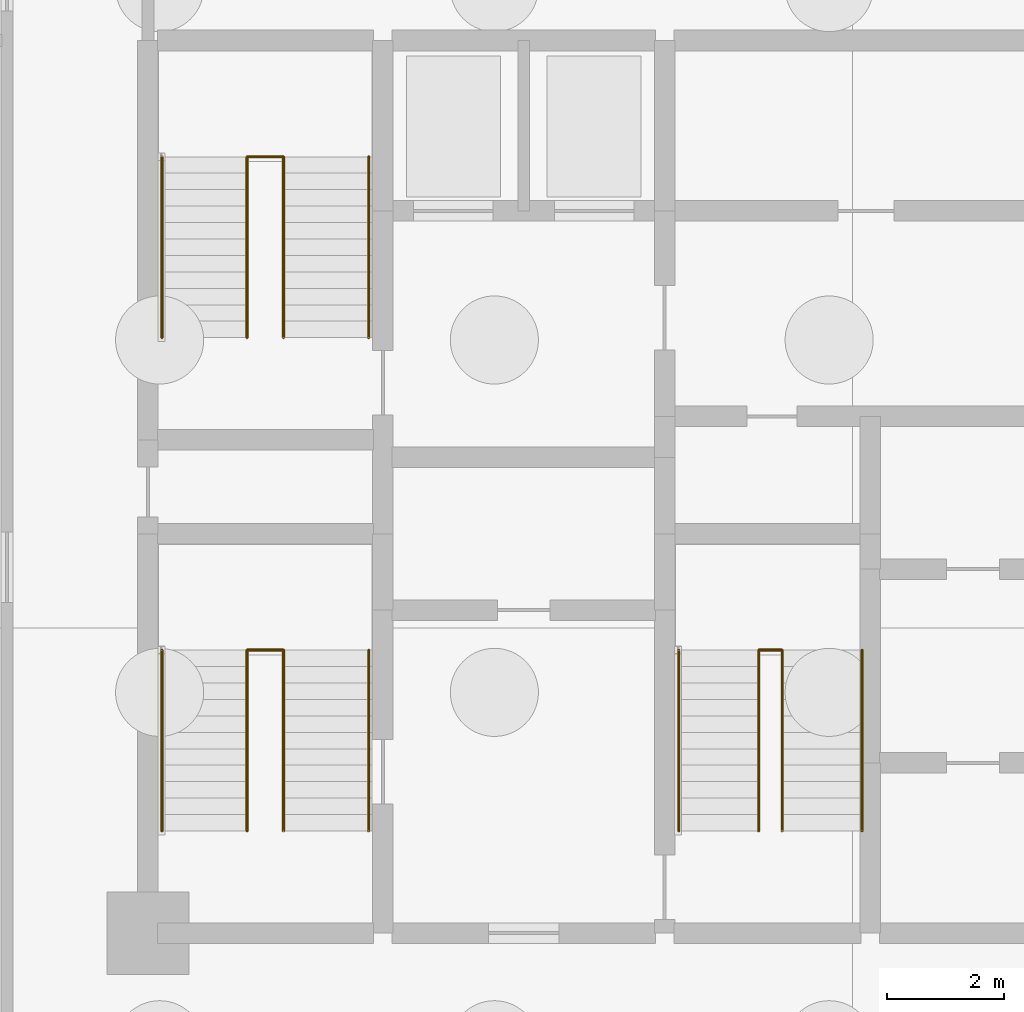
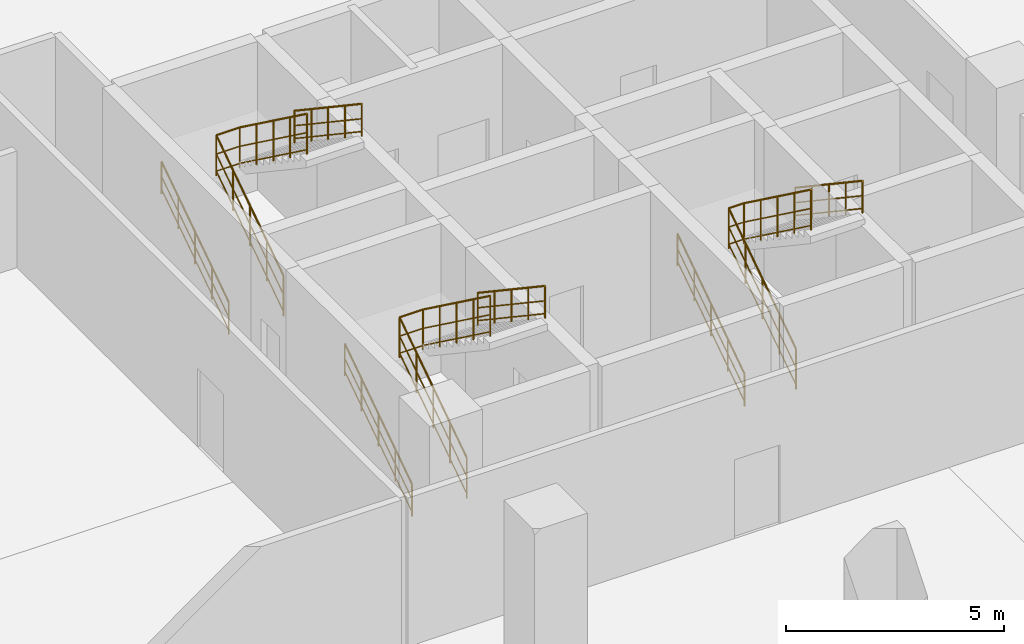
# One storey, part 7 of 8: 9 railings.
"""IFC4 building model written with IfcOpenShell, lengths in metres."""

import ifcopenshell
import ifcopenshell.guid

model = None  # the IFC model being written
_history = None  # IfcOwnerHistory: only IFC2X3 demands one
_inside = {}  # id of a spatial element -> (the spatial element, [elements in it])
_under = {}  # id of a project, library or spatial element -> (it, [spatial elements below it])
_declared = {}  # id of a project -> (the project, [libraries it declares])
_typed = {}  # id of a type object -> (the type object, [elements of that type])
_made_of = {}  # id of a material, layer set ... -> (it, [elements and type objects made of it])


def new_model(schema):
    """Start an empty IFC model of exactly this schema.

    Asked for "IFC4X3", IfcOpenShell would pick the latest addendum, in which some entities
    have other attributes; the version numbers below select the first issue.
    IFC2X3 requires an IfcOwnerHistory on every rooted entity: one is made here for all.
    """
    global model, _history
    if schema == "IFC4X3":
        model = ifcopenshell.file(schema_version=(4, 3, 0, 0))
    else:
        model = ifcopenshell.file(schema=schema)
    _inside.clear()
    _under.clear()
    _declared.clear()
    _typed.clear()
    _made_of.clear()
    _history = None
    if model.schema == "IFC2X3":
        org = make("IfcOrganization", Name="unknown")
        user = make(
            "IfcPersonAndOrganization",
            ThePerson=make("IfcPerson", FamilyName="unknown"),
            TheOrganization=org,
        )
        app = make(
            "IfcApplication",
            ApplicationDeveloper=org,
            Version="unknown",
            ApplicationFullName="unknown",
            ApplicationIdentifier="unknown",
        )
        _history = make(
            "IfcOwnerHistory",
            OwningUser=user,
            OwningApplication=app,
            ChangeAction="ADDED",
            CreationDate=0,
        )
    return model


def make(cls, **values):
    """One entity of the class cls with the attributes given. An attribute that is None is left unset."""
    return model.create_entity(
        cls, **{name: value for name, value in values.items() if value is not None}
    )


def rooted(cls, **values):
    """An entity with a GlobalId (a new one), such as an element, a storey or a relation."""
    return make(cls, GlobalId=ifcopenshell.guid.new(), OwnerHistory=_history, **values)


def si_unit(unit_type, name, prefix=None):
    """IfcSIUnit, for example si_unit("LENGTHUNIT", "METRE", prefix="MILLI")."""
    return make("IfcSIUnit", UnitType=unit_type, Prefix=prefix, Name=name)


def assignment(units):
    """IfcUnitAssignment: the units of a project."""
    return None if units is None else make("IfcUnitAssignment", Units=units)


def point(xyz):
    """IfcCartesianPoint."""
    return None if xyz is None else make("IfcCartesianPoint", Coordinates=xyz)


def direction(xyz):
    """IfcDirection."""
    return None if xyz is None else make("IfcDirection", DirectionRatios=xyz)


def frame(location, z_axis=None, x_axis=None):
    """IfcAxis2Placement3D, a coordinate frame: its origin and axes. An axis left out is left unset."""
    return make(
        "IfcAxis2Placement3D",
        Location=point(location),
        Axis=direction(z_axis),
        RefDirection=direction(x_axis),
    )


def frame_2d(location, x_axis=None):
    """IfcAxis2Placement2D, a coordinate frame in the plane: its origin and x axis."""
    return make(
        "IfcAxis2Placement2D", Location=point(location), RefDirection=direction(x_axis)
    )


def origin():
    """The frame at (0, 0, 0) with its axes left unset."""
    return frame((0.0, 0.0, 0.0))


def origin_2d():
    """The frame at (0, 0) in the plane with its x axis left unset."""
    return frame_2d((0.0, 0.0))


def place(relative_to, where):
    """IfcLocalPlacement: puts the frame where relative to a parent placement (None: the world)."""
    return make(
        "IfcLocalPlacement", PlacementRelTo=relative_to, RelativePlacement=where
    )


def context(
    kind, dimensions, precision=None, world=None, true_north=None, identifier=None
):
    """IfcGeometricRepresentationContext, for example the 3D "Model" context."""
    return make(
        "IfcGeometricRepresentationContext",
        ContextIdentifier=identifier,
        ContextType=kind,
        CoordinateSpaceDimension=dimensions,
        Precision=precision,
        WorldCoordinateSystem=world,
        TrueNorth=true_north,
    )


def subcontext(parent, identifier, kind, view, scale=None):
    """IfcGeometricRepresentationSubContext, for example "Body" below "Model"."""
    return make(
        "IfcGeometricRepresentationSubContext",
        ContextIdentifier=identifier,
        ContextType=kind,
        ParentContext=parent,
        TargetScale=scale,
        TargetView=view,
    )


def project(units=None, contexts=None):
    """IfcProject with its units and contexts."""
    return rooted(
        "IfcProject",
        Name="project",
        RepresentationContexts=contexts,
        UnitsInContext=assignment(units),
    )


def spatial(cls, under=None, at=None, **own):
    """A site, building, storey or space (cls), placed at a placement, below another one or the project."""
    s = rooted(cls, ObjectPlacement=at, **own)
    if under is not None:
        _under.setdefault(under.id(), (under, []))[1].append(s)
    return s


def profile(cls, at=None, kind="AREA", **sizes):
    """A parametric profile (cls). Its sizes go by their IFC names, for example OverallWidth=200.0."""
    return make(cls, ProfileType=kind, Position=at, **sizes)


def circle(**sizes):
    """IfcCircleProfileDef."""
    return profile("IfcCircleProfileDef", **sizes)


def extrude(swept, where, along, depth):
    """IfcExtrudedAreaSolid: the profile swept, set in the frame where, extruded along a direction by depth."""
    return make(
        "IfcExtrudedAreaSolid",
        SweptArea=swept,
        Position=where,
        ExtrudedDirection=direction(along),
        Depth=depth,
    )


def shape(context_of_items, identifier, shape_type, items):
    """IfcShapeRepresentation: the items that make up one representation, for example the "Body"."""
    return make(
        "IfcShapeRepresentation",
        ContextOfItems=context_of_items,
        RepresentationIdentifier=identifier,
        RepresentationType=shape_type,
        Items=items,
    )


def material(Name=None, Category=None):
    """IfcMaterial."""
    return make("IfcMaterial", Name=Name, Category=Category)


def layer(
    of_material, thickness, ventilated=None, Name=None, Category=None, Priority=None
):
    """IfcMaterialLayer: one layer of a wall or slab, of a material (None: an air gap)."""
    return make(
        "IfcMaterialLayer",
        Material=of_material,
        LayerThickness=thickness,
        IsVentilated=ventilated,
        Name=Name,
        Category=Category,
        Priority=Priority,
    )


def layer_set(layers, Name=None):
    """IfcMaterialLayerSet."""
    return make("IfcMaterialLayerSet", MaterialLayers=layers, LayerSetName=Name)


def made_of(thing, what):
    """Note that an element or type object is made of a material, layer set ...; save() writes the relation."""
    if what is not None:
        _made_of.setdefault(what.id(), (what, []))[1].append(thing)
    return thing


def type_object(cls, material=None, **own):
    """A type object (cls), such as IfcWallType, which elements share."""
    return made_of(rooted(cls, **own), material)


def element(
    cls,
    number,
    at=None,
    inside=None,
    cuts=None,
    type_object=None,
    material=None,
    context=None,
    identifier="Body",
    shape_type=None,
    held_by="IfcProductDefinitionShape",
    body=None,
    shapes=None,
    **own,
):
    """One element of the class cls, such as IfcWall. Its Tag is "e" and its number.

    at: its placement. inside: the storey or other place that contains it. cuts: it is an
    opening in that element (IfcRelVoidsElement). A single representation is given by context,
    identifier, shape_type and body (its items); several are given by shapes. held_by: the class
    of the entity that holds the representations. save() writes the other relations.
    """
    e = rooted(cls, Tag="e%d" % number, ObjectPlacement=at, **own)
    if body is not None:
        shapes = [shape(context, identifier, shape_type, body)]
    if shapes is not None:
        e.Representation = make(held_by, Representations=shapes)
    if inside is not None:
        _inside.setdefault(inside.id(), (inside, []))[1].append(e)
    if cuts is not None:
        rooted(
            "IfcRelVoidsElement", RelatingBuildingElement=cuts, RelatedOpeningElement=e
        )
    if type_object is not None:
        _typed.setdefault(type_object.id(), (type_object, []))[1].append(e)
    return made_of(e, material)


def aggregate(whole, parts):
    """IfcRelAggregates: a whole, such as a stair, and the parts it consists of."""
    return rooted("IfcRelAggregates", RelatingObject=whole, RelatedObjects=parts)


def save(model, path):
    """Write the relations noted so far, then the file.

    IfcRelAggregates (storeys below a building ...), IfcRelContainedInSpatialStructure (elements
    in a storey), IfcRelDefinesByType, IfcRelAssociatesMaterial and IfcRelDeclares: one each for
    every whole, place, type object, material and project.
    """
    for whole, parts in _under.values():
        aggregate(whole, parts)
    for where, things in _inside.values():
        rooted(
            "IfcRelContainedInSpatialStructure",
            RelatedElements=things,
            RelatingStructure=where,
        )
    for kind, things in _typed.values():
        rooted("IfcRelDefinesByType", RelatedObjects=things, RelatingType=kind)
    for what, things in _made_of.values():
        rooted("IfcRelAssociatesMaterial", RelatedObjects=things, RelatingMaterial=what)
    for by, libraries in _declared.values():
        rooted("IfcRelDeclares", RelatingContext=by, RelatedDefinitions=libraries)
    model.write(path)


model = new_model("IFC4")

# Units and contexts
model_context = context("Model", 3, precision=1e-05, world=origin(), true_north=direction((0.0, 1.0)))
body_context = subcontext(model_context, "Body", "Model", "MODEL_VIEW")
ifc_project = project(units=[si_unit("LENGTHUNIT", "METRE"), si_unit("AREAUNIT", "SQUARE_METRE"), si_unit("VOLUMEUNIT", "CUBIC_METRE"), si_unit("PLANEANGLEUNIT", "RADIAN"), si_unit("MASSUNIT", "GRAM", prefix="KILO")], contexts=[model_context])

# Site, building, storey
site_placement = place(None, origin())
site = spatial("IfcSite", under=ifc_project, at=site_placement, CompositionType="ELEMENT")
building_placement = place(site_placement, origin())
building = spatial("IfcBuilding", under=site, at=building_placement, Name="Keshet Zoharim Tower", CompositionType="ELEMENT")
storey_placement = place(building_placement, frame((0.0, 0.0, -9.0)))
storey = spatial("IfcBuildingStorey", under=building, at=storey_placement, Name="B2", CompositionType="ELEMENT", Elevation=-9.0)

# Railings
ifc_material = material(Name="Steel S355", Category="steel")
ifc_layer_1 = layer(ifc_material, 0.050048828125)
ifc_layer_set_1 = layer_set([ifc_layer_1], Name="Steel S355")
railing_type_1 = type_object("IfcRailingType", Name="RL-HND-092", PredefinedType="HANDRAIL", material=ifc_layer_set_1)
railing_1_placement = place(storey_placement, frame((15.239990234375, 24.43994140625, 0.1875)))
element("IfcRailing", 1, at=railing_1_placement, inside=storey, type_object=railing_type_1, Name="B2 ST-01 Flight 1 Wall Handrail", PredefinedType="HANDRAIL", context=body_context, shape_type="SweptSolid", body=[
    extrude(circle(Radius=0.02392578125, at=origin_2d()), frame((0.0, 0.0, 0.89599609375), z_axis=(0.0, 0.830913701846, 0.55640131208), x_axis=(-1.0, 0.0, 0.0)), (0.0, 0.0, 1.0), 3.706787109375),
    extrude(circle(Radius=0.01611328125, at=origin_2d()), frame((0.0, 0.0, 0.478271484375), z_axis=(0.0, 0.830913701846, 0.55640131208), x_axis=(-1.0, 0.0, 0.0)), (0.0, 0.0, 1.0), 3.706787109375),
    extrude(circle(Radius=0.01611328125, at=origin_2d()), frame((0.0, 0.0, 0.1201171875), z_axis=(0.0, 0.830913701846, 0.55640131208), x_axis=(-1.0, 0.0, 0.0)), (0.0, 0.0, 1.0), 3.706787109375),
    extrude(circle(Radius=0.02099609375, at=origin_2d()), origin(), (0.0, 0.0, 1.0), 0.871826171875),
    extrude(circle(Radius=0.02099609375, at=origin_2d()), frame((0.0, 0.77001953125, 0.515625)), (0.0, 0.0, 1.0), 0.871826171875),
    extrude(circle(Radius=0.02099609375, at=origin_2d()), frame((0.0, 1.5400390625, 1.03125)), (0.0, 0.0, 1.0), 0.871826171875),
    extrude(circle(Radius=0.02099609375, at=origin_2d()), frame((0.0, 2.31005859375, 1.546875)), (0.0, 0.0, 1.0), 0.871826171875),
    extrude(circle(Radius=0.02099609375, at=origin_2d()), frame((0.0, 3.080078125, 2.0625)), (0.0, 0.0, 1.0), 0.871826171875),
])
railing_2_placement = place(storey_placement, frame((18.760009765625, 27.52001953125, 2.4375)))
element("IfcRailing", 2, at=railing_2_placement, inside=storey, type_object=railing_type_1, Name="B2 ST-01 Flight 2 Wall Handrail", PredefinedType="HANDRAIL", context=body_context, shape_type="SweptSolid", body=[
    extrude(circle(Radius=0.02392578125, at=origin_2d()), frame((0.0, 0.0, 0.89599609375), z_axis=(0.0, -0.830913701846, 0.55640131208), x_axis=(1.0, 0.0, 0.0)), (0.0, 0.0, 1.0), 3.706787109375),
    extrude(circle(Radius=0.01611328125, at=origin_2d()), frame((0.0, 0.0, 0.478271484375), z_axis=(0.0, -0.830913701846, 0.55640131208), x_axis=(1.0, 0.0, 0.0)), (0.0, 0.0, 1.0), 3.706787109375),
    extrude(circle(Radius=0.01611328125, at=origin_2d()), frame((0.0, 0.0, 0.1201171875), z_axis=(0.0, -0.830913701846, 0.55640131208), x_axis=(1.0, 0.0, 0.0)), (0.0, 0.0, 1.0), 3.706787109375),
    extrude(circle(Radius=0.02099609375, at=origin_2d()), origin(), (0.0, 0.0, 1.0), 0.871826171875),
    extrude(circle(Radius=0.02099609375, at=origin_2d()), frame((0.0, -0.77001953125, 0.515625)), (0.0, 0.0, 1.0), 0.871826171875),
    extrude(circle(Radius=0.02099609375, at=origin_2d()), frame((0.0, -1.5400390625, 1.03125)), (0.0, 0.0, 1.0), 0.871826171875),
    extrude(circle(Radius=0.02099609375, at=origin_2d()), frame((0.0, -2.31005859375, 1.546875)), (0.0, 0.0, 1.0), 0.871826171875),
    extrude(circle(Radius=0.02099609375, at=origin_2d()), frame((0.0, -3.080078125, 2.0625)), (0.0, 0.0, 1.0), 0.871826171875),
])
railing_3_placement = place(storey_placement, frame((15.239990234375, 32.840087890625, 0.1875)))
element("IfcRailing", 3, at=railing_3_placement, inside=storey, type_object=railing_type_1, Name="B2 ST-02 Flight 1 Wall Handrail", PredefinedType="HANDRAIL", context=body_context, shape_type="SweptSolid", body=[
    extrude(circle(Radius=0.02392578125, at=origin_2d()), frame((0.0, 0.0, 0.89599609375), z_axis=(0.0, 0.830893310487, 0.556431762742), x_axis=(-1.0, 0.0, 0.0)), (0.0, 0.0, 1.0), 3.70654296875),
    extrude(circle(Radius=0.01611328125, at=origin_2d()), frame((0.0, 0.0, 0.478271484375), z_axis=(0.0, 0.830893310487, 0.556431762742), x_axis=(-1.0, 0.0, 0.0)), (0.0, 0.0, 1.0), 3.70654296875),
    extrude(circle(Radius=0.01611328125, at=origin_2d()), frame((0.0, 0.0, 0.1201171875), z_axis=(0.0, 0.830893310487, 0.556431762742), x_axis=(-1.0, 0.0, 0.0)), (0.0, 0.0, 1.0), 3.70654296875),
    extrude(circle(Radius=0.02099609375, at=origin_2d()), origin(), (0.0, 0.0, 1.0), 0.871826171875),
    extrude(circle(Radius=0.02099609375, at=origin_2d()), frame((0.0, 0.77001953125, 0.515625)), (0.0, 0.0, 1.0), 0.871826171875),
    extrude(circle(Radius=0.02099609375, at=origin_2d()), frame((0.0, 1.5400390625, 1.03125)), (0.0, 0.0, 1.0), 0.871826171875),
    extrude(circle(Radius=0.02099609375, at=origin_2d()), frame((0.0, 2.309814453125, 1.546875)), (0.0, 0.0, 1.0), 0.871826171875),
    extrude(circle(Radius=0.02099609375, at=origin_2d()), frame((0.0, 3.079833984375, 2.0625)), (0.0, 0.0, 1.0), 0.871826171875),
])
railing_4_placement = place(storey_placement, frame((18.760009765625, 35.919921875, 2.4375)))
element("IfcRailing", 4, at=railing_4_placement, inside=storey, type_object=railing_type_1, Name="B2 ST-02 Flight 2 Wall Handrail", PredefinedType="HANDRAIL", context=body_context, shape_type="SweptSolid", body=[
    extrude(circle(Radius=0.02392578125, at=origin_2d()), frame((0.0, 0.0, 0.89599609375), z_axis=(0.0, -0.830893310487, 0.556431762742), x_axis=(1.0, 0.0, 0.0)), (0.0, 0.0, 1.0), 3.70654296875),
    extrude(circle(Radius=0.01611328125, at=origin_2d()), frame((0.0, 0.0, 0.478271484375), z_axis=(0.0, -0.830893310487, 0.556431762742), x_axis=(1.0, 0.0, 0.0)), (0.0, 0.0, 1.0), 3.70654296875),
    extrude(circle(Radius=0.01611328125, at=origin_2d()), frame((0.0, 0.0, 0.1201171875), z_axis=(0.0, -0.830893310487, 0.556431762742), x_axis=(1.0, 0.0, 0.0)), (0.0, 0.0, 1.0), 3.70654296875),
    extrude(circle(Radius=0.02099609375, at=origin_2d()), origin(), (0.0, 0.0, 1.0), 0.871826171875),
    extrude(circle(Radius=0.02099609375, at=origin_2d()), frame((0.0, -0.77001953125, 0.515625)), (0.0, 0.0, 1.0), 0.871826171875),
    extrude(circle(Radius=0.02099609375, at=origin_2d()), frame((0.0, -1.5400390625, 1.03125)), (0.0, 0.0, 1.0), 0.871826171875),
    extrude(circle(Radius=0.02099609375, at=origin_2d()), frame((0.0, -2.309814453125, 1.546875)), (0.0, 0.0, 1.0), 0.871826171875),
    extrude(circle(Radius=0.02099609375, at=origin_2d()), frame((0.0, -3.079833984375, 2.0625)), (0.0, 0.0, 1.0), 0.871826171875),
])
railing_5_placement = place(storey_placement, frame((24.0400390625, 24.43994140625, 0.1875)))
element("IfcRailing", 5, at=railing_5_placement, inside=storey, type_object=railing_type_1, Name="B2 ST-03 Flight 1 Wall Handrail", PredefinedType="HANDRAIL", context=body_context, shape_type="SweptSolid", body=[
    extrude(circle(Radius=0.02392578125, at=origin_2d()), frame((0.0, 0.0, 0.89599609375), z_axis=(0.0, 0.830913701846, 0.55640131208), x_axis=(-1.0, 0.0, 0.0)), (0.0, 0.0, 1.0), 3.706787109375),
    extrude(circle(Radius=0.01611328125, at=origin_2d()), frame((0.0, 0.0, 0.478271484375), z_axis=(0.0, 0.830913701846, 0.55640131208), x_axis=(-1.0, 0.0, 0.0)), (0.0, 0.0, 1.0), 3.706787109375),
    extrude(circle(Radius=0.01611328125, at=origin_2d()), frame((0.0, 0.0, 0.1201171875), z_axis=(0.0, 0.830913701846, 0.55640131208), x_axis=(-1.0, 0.0, 0.0)), (0.0, 0.0, 1.0), 3.706787109375),
    extrude(circle(Radius=0.02099609375, at=origin_2d()), origin(), (0.0, 0.0, 1.0), 0.871826171875),
    extrude(circle(Radius=0.02099609375, at=origin_2d()), frame((0.0, 0.77001953125, 0.515625)), (0.0, 0.0, 1.0), 0.871826171875),
    extrude(circle(Radius=0.02099609375, at=origin_2d()), frame((0.0, 1.5400390625, 1.03125)), (0.0, 0.0, 1.0), 0.871826171875),
    extrude(circle(Radius=0.02099609375, at=origin_2d()), frame((0.0, 2.31005859375, 1.546875)), (0.0, 0.0, 1.0), 0.871826171875),
    extrude(circle(Radius=0.02099609375, at=origin_2d()), frame((0.0, 3.080078125, 2.0625)), (0.0, 0.0, 1.0), 0.871826171875),
])
railing_6_placement = place(storey_placement, frame((27.159912109375, 27.52001953125, 2.4375)))
element("IfcRailing", 6, at=railing_6_placement, inside=storey, type_object=railing_type_1, Name="B2 ST-03 Flight 2 Wall Handrail", PredefinedType="HANDRAIL", context=body_context, shape_type="SweptSolid", body=[
    extrude(circle(Radius=0.02392578125, at=origin_2d()), frame((0.0, 0.0, 0.89599609375), z_axis=(0.0, -0.830913701846, 0.55640131208), x_axis=(1.0, 0.0, 0.0)), (0.0, 0.0, 1.0), 3.706787109375),
    extrude(circle(Radius=0.01611328125, at=origin_2d()), frame((0.0, 0.0, 0.478271484375), z_axis=(0.0, -0.830913701846, 0.55640131208), x_axis=(1.0, 0.0, 0.0)), (0.0, 0.0, 1.0), 3.706787109375),
    extrude(circle(Radius=0.01611328125, at=origin_2d()), frame((0.0, 0.0, 0.1201171875), z_axis=(0.0, -0.830913701846, 0.55640131208), x_axis=(1.0, 0.0, 0.0)), (0.0, 0.0, 1.0), 3.706787109375),
    extrude(circle(Radius=0.02099609375, at=origin_2d()), origin(), (0.0, 0.0, 1.0), 0.871826171875),
    extrude(circle(Radius=0.02099609375, at=origin_2d()), frame((0.0, -0.77001953125, 0.515625)), (0.0, 0.0, 1.0), 0.871826171875),
    extrude(circle(Radius=0.02099609375, at=origin_2d()), frame((0.0, -1.5400390625, 1.03125)), (0.0, 0.0, 1.0), 0.871826171875),
    extrude(circle(Radius=0.02099609375, at=origin_2d()), frame((0.0, -2.31005859375, 1.546875)), (0.0, 0.0, 1.0), 0.871826171875),
    extrude(circle(Radius=0.02099609375, at=origin_2d()), frame((0.0, -3.080078125, 2.0625)), (0.0, 0.0, 1.0), 0.871826171875),
])
ifc_layer_2 = layer(ifc_material, 0.06005859375)
ifc_layer_set_2 = layer_set([ifc_layer_2], Name="Steel S355")
railing_type_2 = type_object("IfcRailingType", Name="RL-STG-115", PredefinedType="GUARDRAIL", material=ifc_layer_set_2)
railing_7_placement = place(storey_placement, frame((16.68994140625, 24.43994140625, 0.1875)))
element("IfcRailing", 7, at=railing_7_placement, inside=storey, type_object=railing_type_2, Name="B2 ST-01 Inner Well Guardrail", PredefinedType="GUARDRAIL", context=body_context, shape_type="SweptSolid", body=[
    extrude(circle(Radius=0.02392578125, at=origin_2d()), frame((0.0, 0.0, 1.1259765625), z_axis=(0.0, 0.830913701846, 0.55640131208), x_axis=(-1.0, 0.0, 0.0)), (0.0, 0.0, 1.0), 3.706787109375),
    extrude(circle(Radius=0.01611328125, at=origin_2d()), frame((0.0, 0.0, 0.597900390625), z_axis=(0.0, 0.830913701846, 0.55640131208), x_axis=(-1.0, 0.0, 0.0)), (0.0, 0.0, 1.0), 3.706787109375),
    extrude(circle(Radius=0.01611328125, at=origin_2d()), frame((0.0, 0.0, 0.1201171875), z_axis=(0.0, 0.830913701846, 0.55640131208), x_axis=(-1.0, 0.0, 0.0)), (0.0, 0.0, 1.0), 3.706787109375),
    extrude(circle(Radius=0.02392578125, at=origin_2d()), frame((0.0, 3.080078125, 3.1884765625), z_axis=(1.0, 0.0, 0.0), x_axis=(0.0, 1.0, 0.0)), (0.0, 0.0, 1.0), 0.6201171875),
    extrude(circle(Radius=0.01611328125, at=origin_2d()), frame((0.0, 3.080078125, 2.660400390625), z_axis=(1.0, 0.0, 0.0), x_axis=(0.0, 1.0, 0.0)), (0.0, 0.0, 1.0), 0.6201171875),
    extrude(circle(Radius=0.01611328125, at=origin_2d()), frame((0.0, 3.080078125, 2.1826171875), z_axis=(1.0, 0.0, 0.0), x_axis=(0.0, 1.0, 0.0)), (0.0, 0.0, 1.0), 0.6201171875),
    extrude(circle(Radius=0.02392578125, at=origin_2d()), frame((0.6201171875, 3.080078125, 3.1884765625), z_axis=(0.0, -0.807494308864, 0.589875360692), x_axis=(1.0, 0.0, 0.0)), (0.0, 0.0, 1.0), 3.814453125),
    extrude(circle(Radius=0.01611328125, at=origin_2d()), frame((0.6201171875, 3.080078125, 2.660400390625), z_axis=(0.0, -0.807494308864, 0.589875360692), x_axis=(1.0, 0.0, 0.0)), (0.0, 0.0, 1.0), 3.814453125),
    extrude(circle(Radius=0.01611328125, at=origin_2d()), frame((0.6201171875, 3.080078125, 2.1826171875), z_axis=(0.0, -0.807494308864, 0.589875360692), x_axis=(1.0, 0.0, 0.0)), (0.0, 0.0, 1.0), 3.814453125),
    extrude(circle(Radius=0.02099609375, at=origin_2d()), origin(), (0.0, 0.0, 1.0), 1.101806640625),
    extrude(circle(Radius=0.02099609375, at=origin_2d()), frame((0.0, 0.77001953125, 0.515625)), (0.0, 0.0, 1.0), 1.101806640625),
    extrude(circle(Radius=0.02099609375, at=origin_2d()), frame((0.0, 1.5400390625, 1.03125)), (0.0, 0.0, 1.0), 1.101806640625),
    extrude(circle(Radius=0.02099609375, at=origin_2d()), frame((0.0, 2.31005859375, 1.546875)), (0.0, 0.0, 1.0), 1.101806640625),
    extrude(circle(Radius=0.02099609375, at=origin_2d()), frame((0.0, 3.080078125, 2.0625)), (0.0, 0.0, 1.0), 1.101806640625),
    extrude(circle(Radius=0.02099609375, at=origin_2d()), frame((0.6201171875, 3.080078125, 2.0625)), (0.0, 0.0, 1.0), 1.101806640625),
    extrude(circle(Radius=0.02099609375, at=origin_2d()), frame((0.6201171875, 2.31005859375, 2.625)), (0.0, 0.0, 1.0), 1.101806640625),
    extrude(circle(Radius=0.02099609375, at=origin_2d()), frame((0.6201171875, 1.5400390625, 3.1875)), (0.0, 0.0, 1.0), 1.101806640625),
    extrude(circle(Radius=0.02099609375, at=origin_2d()), frame((0.6201171875, 0.77001953125, 3.75)), (0.0, 0.0, 1.0), 1.101806640625),
    extrude(circle(Radius=0.02099609375, at=origin_2d()), frame((0.6201171875, 0.0, 4.3125)), (0.0, 0.0, 1.0), 1.101806640625),
])
railing_8_placement = place(storey_placement, frame((16.68994140625, 32.840087890625, 0.1875)))
element("IfcRailing", 8, at=railing_8_placement, inside=storey, type_object=railing_type_2, Name="B2 ST-02 Inner Well Guardrail", PredefinedType="GUARDRAIL", context=body_context, shape_type="SweptSolid", body=[
    extrude(circle(Radius=0.02392578125, at=origin_2d()), frame((0.0, 0.0, 1.1259765625), z_axis=(0.0, 0.830893310487, 0.556431762742), x_axis=(-1.0, 0.0, 0.0)), (0.0, 0.0, 1.0), 3.70654296875),
    extrude(circle(Radius=0.01611328125, at=origin_2d()), frame((0.0, 0.0, 0.597900390625), z_axis=(0.0, 0.830893310487, 0.556431762742), x_axis=(-1.0, 0.0, 0.0)), (0.0, 0.0, 1.0), 3.70654296875),
    extrude(circle(Radius=0.01611328125, at=origin_2d()), frame((0.0, 0.0, 0.1201171875), z_axis=(0.0, 0.830893310487, 0.556431762742), x_axis=(-1.0, 0.0, 0.0)), (0.0, 0.0, 1.0), 3.70654296875),
    extrude(circle(Radius=0.02392578125, at=origin_2d()), frame((0.0, 3.079833984375, 3.1884765625), z_axis=(1.0, 0.0, 0.0), x_axis=(0.0, 1.0, 0.0)), (0.0, 0.0, 1.0), 0.6201171875),
    extrude(circle(Radius=0.01611328125, at=origin_2d()), frame((0.0, 3.079833984375, 2.660400390625), z_axis=(1.0, 0.0, 0.0), x_axis=(0.0, 1.0, 0.0)), (0.0, 0.0, 1.0), 0.6201171875),
    extrude(circle(Radius=0.01611328125, at=origin_2d()), frame((0.0, 3.079833984375, 2.1826171875), z_axis=(1.0, 0.0, 0.0), x_axis=(0.0, 1.0, 0.0)), (0.0, 0.0, 1.0), 0.6201171875),
    extrude(circle(Radius=0.02392578125, at=origin_2d()), frame((0.6201171875, 3.079833984375, 3.1884765625), z_axis=(0.0, -0.80747203621, 0.589905849046), x_axis=(1.0, 0.0, 0.0)), (0.0, 0.0, 1.0), 3.814208984375),
    extrude(circle(Radius=0.01611328125, at=origin_2d()), frame((0.6201171875, 3.079833984375, 2.660400390625), z_axis=(0.0, -0.80747203621, 0.589905849046), x_axis=(1.0, 0.0, 0.0)), (0.0, 0.0, 1.0), 3.814208984375),
    extrude(circle(Radius=0.01611328125, at=origin_2d()), frame((0.6201171875, 3.079833984375, 2.1826171875), z_axis=(0.0, -0.80747203621, 0.589905849046), x_axis=(1.0, 0.0, 0.0)), (0.0, 0.0, 1.0), 3.814208984375),
    extrude(circle(Radius=0.02099609375, at=origin_2d()), origin(), (0.0, 0.0, 1.0), 1.101806640625),
    extrude(circle(Radius=0.02099609375, at=origin_2d()), frame((0.0, 0.77001953125, 0.515625)), (0.0, 0.0, 1.0), 1.101806640625),
    extrude(circle(Radius=0.02099609375, at=origin_2d()), frame((0.0, 1.5400390625, 1.03125)), (0.0, 0.0, 1.0), 1.101806640625),
    extrude(circle(Radius=0.02099609375, at=origin_2d()), frame((0.0, 2.309814453125, 1.546875)), (0.0, 0.0, 1.0), 1.101806640625),
    extrude(circle(Radius=0.02099609375, at=origin_2d()), frame((0.0, 3.079833984375, 2.0625)), (0.0, 0.0, 1.0), 1.101806640625),
    extrude(circle(Radius=0.02099609375, at=origin_2d()), frame((0.6201171875, 3.079833984375, 2.0625)), (0.0, 0.0, 1.0), 1.101806640625),
    extrude(circle(Radius=0.02099609375, at=origin_2d()), frame((0.6201171875, 2.309814453125, 2.625)), (0.0, 0.0, 1.0), 1.101806640625),
    extrude(circle(Radius=0.02099609375, at=origin_2d()), frame((0.6201171875, 1.5400390625, 3.1875)), (0.0, 0.0, 1.0), 1.101806640625),
    extrude(circle(Radius=0.02099609375, at=origin_2d()), frame((0.6201171875, 0.77001953125, 3.75)), (0.0, 0.0, 1.0), 1.101806640625),
    extrude(circle(Radius=0.02099609375, at=origin_2d()), frame((0.6201171875, 0.0, 4.3125)), (0.0, 0.0, 1.0), 1.101806640625),
])
railing_9_placement = place(storey_placement, frame((25.39990234375, 24.43994140625, 0.1875)))
element("IfcRailing", 9, at=railing_9_placement, inside=storey, type_object=railing_type_2, Name="B2 ST-03 Inner Well Guardrail", PredefinedType="GUARDRAIL", context=body_context, shape_type="SweptSolid", body=[
    extrude(circle(Radius=0.02392578125, at=origin_2d()), frame((0.0, 0.0, 1.1259765625), z_axis=(0.0, 0.830913701846, 0.55640131208), x_axis=(-1.0, 0.0, 0.0)), (0.0, 0.0, 1.0), 3.706787109375),
    extrude(circle(Radius=0.01611328125, at=origin_2d()), frame((0.0, 0.0, 0.597900390625), z_axis=(0.0, 0.830913701846, 0.55640131208), x_axis=(-1.0, 0.0, 0.0)), (0.0, 0.0, 1.0), 3.706787109375),
    extrude(circle(Radius=0.01611328125, at=origin_2d()), frame((0.0, 0.0, 0.1201171875), z_axis=(0.0, 0.830913701846, 0.55640131208), x_axis=(-1.0, 0.0, 0.0)), (0.0, 0.0, 1.0), 3.706787109375),
    extrude(circle(Radius=0.02392578125, at=origin_2d()), frame((0.0, 3.080078125, 3.1884765625), z_axis=(1.0, 0.0, 0.0), x_axis=(0.0, 1.0, 0.0)), (0.0, 0.0, 1.0), 0.400146484375),
    extrude(circle(Radius=0.01611328125, at=origin_2d()), frame((0.0, 3.080078125, 2.660400390625), z_axis=(1.0, 0.0, 0.0), x_axis=(0.0, 1.0, 0.0)), (0.0, 0.0, 1.0), 0.400146484375),
    extrude(circle(Radius=0.01611328125, at=origin_2d()), frame((0.0, 3.080078125, 2.1826171875), z_axis=(1.0, 0.0, 0.0), x_axis=(0.0, 1.0, 0.0)), (0.0, 0.0, 1.0), 0.400146484375),
    extrude(circle(Radius=0.02392578125, at=origin_2d()), frame((0.400146484375, 3.080078125, 3.1884765625), z_axis=(0.0, -0.807494308864, 0.589875360692), x_axis=(1.0, 0.0, 0.0)), (0.0, 0.0, 1.0), 3.814453125),
    extrude(circle(Radius=0.01611328125, at=origin_2d()), frame((0.400146484375, 3.080078125, 2.660400390625), z_axis=(0.0, -0.807494308864, 0.589875360692), x_axis=(1.0, 0.0, 0.0)), (0.0, 0.0, 1.0), 3.814453125),
    extrude(circle(Radius=0.01611328125, at=origin_2d()), frame((0.400146484375, 3.080078125, 2.1826171875), z_axis=(0.0, -0.807494308864, 0.589875360692), x_axis=(1.0, 0.0, 0.0)), (0.0, 0.0, 1.0), 3.814453125),
    extrude(circle(Radius=0.02099609375, at=origin_2d()), origin(), (0.0, 0.0, 1.0), 1.101806640625),
    extrude(circle(Radius=0.02099609375, at=origin_2d()), frame((0.0, 0.77001953125, 0.515625)), (0.0, 0.0, 1.0), 1.101806640625),
    extrude(circle(Radius=0.02099609375, at=origin_2d()), frame((0.0, 1.5400390625, 1.03125)), (0.0, 0.0, 1.0), 1.101806640625),
    extrude(circle(Radius=0.02099609375, at=origin_2d()), frame((0.0, 2.31005859375, 1.546875)), (0.0, 0.0, 1.0), 1.101806640625),
    extrude(circle(Radius=0.02099609375, at=origin_2d()), frame((0.0, 3.080078125, 2.0625)), (0.0, 0.0, 1.0), 1.101806640625),
    extrude(circle(Radius=0.02099609375, at=origin_2d()), frame((0.400146484375, 3.080078125, 2.0625)), (0.0, 0.0, 1.0), 1.101806640625),
    extrude(circle(Radius=0.02099609375, at=origin_2d()), frame((0.400146484375, 2.31005859375, 2.625)), (0.0, 0.0, 1.0), 1.101806640625),
    extrude(circle(Radius=0.02099609375, at=origin_2d()), frame((0.400146484375, 1.5400390625, 3.1875)), (0.0, 0.0, 1.0), 1.101806640625),
    extrude(circle(Radius=0.02099609375, at=origin_2d()), frame((0.400146484375, 0.77001953125, 3.75)), (0.0, 0.0, 1.0), 1.101806640625),
    extrude(circle(Radius=0.02099609375, at=origin_2d()), frame((0.400146484375, 0.0, 4.3125)), (0.0, 0.0, 1.0), 1.101806640625),
])

save(model, "model.ifc")
